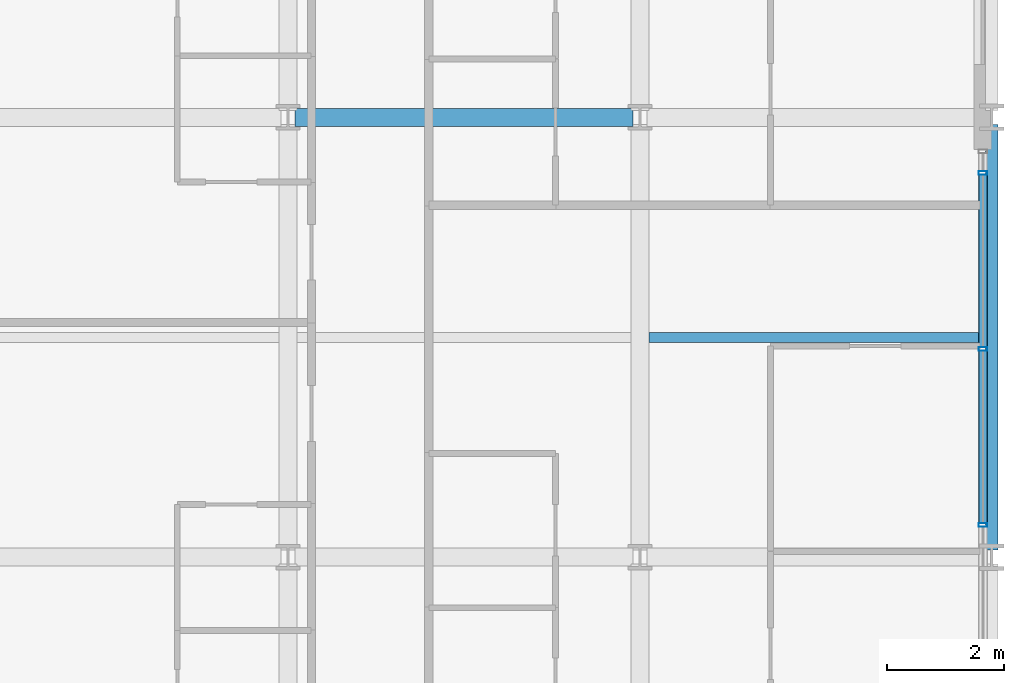
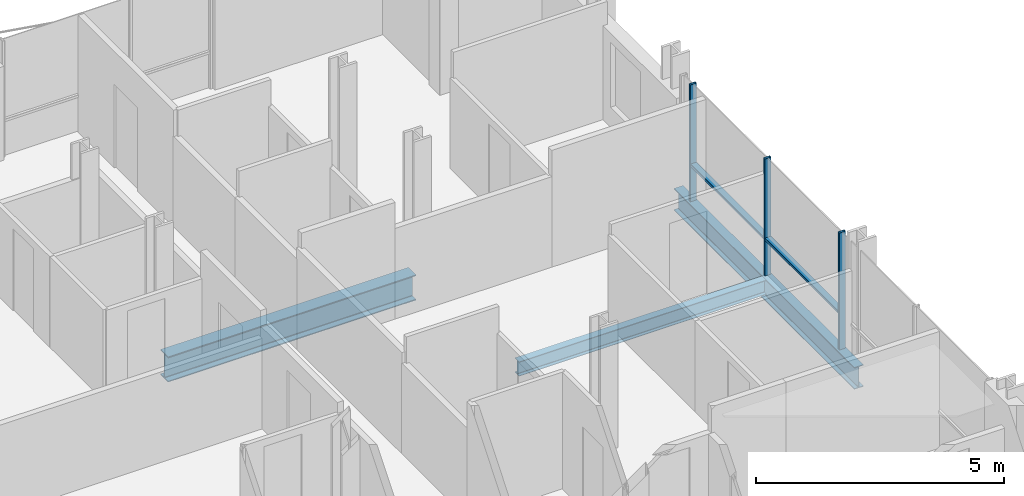
# One storey, part 19 of 40: 5 members, 3 beams, 1 element without a shape of its own.
"""IFC4 building model written with IfcOpenShell, lengths in metres."""

from ifc_helpers import new_model, si_unit, direction, frame, origin, origin_2d, place, context, subcontext, project, spatial, hollow_rectangle, i_section, extrude, material, layer, layer_set, material_profile, profile_set, type_object, element, aggregate, save


model = new_model("IFC4")

# Units and contexts
model_context = context("Model", 3, precision=1e-05, world=origin(), true_north=direction((0.0, 1.0)))
body_context = subcontext(model_context, "Body", "Model", "MODEL_VIEW")
ifc_project = project(units=[si_unit("LENGTHUNIT", "METRE"), si_unit("AREAUNIT", "SQUARE_METRE"), si_unit("VOLUMEUNIT", "CUBIC_METRE"), si_unit("PLANEANGLEUNIT", "RADIAN"), si_unit("MASSUNIT", "GRAM", prefix="KILO")], contexts=[model_context])

# Site, building, storey
site_placement = place(None, origin())
site = spatial("IfcSite", under=ifc_project, at=site_placement, CompositionType="ELEMENT")
building_placement = place(site_placement, origin())
building = spatial("IfcBuilding", under=site, at=building_placement, Name="Brevholm Reach", CompositionType="ELEMENT")
storey_placement = place(building_placement, frame((0.0, 0.0, 62.10009765625)))
storey = spatial("IfcBuildingStorey", under=building, at=storey_placement, Name="L17", CompositionType="ELEMENT", Elevation=62.10009765625)

# Beams
ifc_material_1 = material(Name="Structural Steel S355J2", Category="steel")
ifc_material_profile_1 = material_profile(ifc_material_1, i_section(OverallWidth=0.17138671875, OverallDepth=0.35498046875, WebThickness=0.00732421875, FlangeThickness=0.011474609375, FilletRadius=0.01025390625, at=origin_2d()), Name="UKB 356x171x51")
ifc_profile_set_1 = profile_set([ifc_material_profile_1], Name="Structural Steel S355J2")
beam_type_1 = type_object("IfcBeamType", Name="BM-B356", PredefinedType="BEAM", material=ifc_profile_set_1)
beam_1_placement = place(storey_placement, frame((54.153564453125, 19.75, -0.40771484375), z_axis=(1.0, 0.0, 0.0), x_axis=(0.0, 1.0, 0.0)))
element("IfcBeam", 1, at=beam_1_placement, inside=storey, type_object=beam_type_1, Name="L17 Composite Secondary Floor Beam", PredefinedType="BEAM", context=body_context, shape_type="SweptSolid", body=[
    extrude(i_section(OverallWidth=0.17138671875, OverallDepth=0.35498046875, WebThickness=0.00732421875, FlangeThickness=0.011474609375, FilletRadius=0.01025390625, at=origin_2d()), origin(), (0.0, 0.0, 1.0), 5.740966796875),
])
ifc_material_2 = material(Name="Structural Steel S355J2", Category="steel")
ifc_material_profile_2 = material_profile(ifc_material_2, i_section(OverallWidth=0.210693359375, OverallDepth=0.53955078125, WebThickness=0.01171875, FlangeThickness=0.018798828125, FilletRadius=0.0126953125, at=origin_2d()), Name="UKB 533x210x109")
ifc_profile_set_2 = profile_set([ifc_material_profile_2], Name="Structural Steel S355J2")
beam_type_2 = type_object("IfcBeamType", Name="BM-SP539", PredefinedType="SPANDREL", material=ifc_profile_set_2)
beam_2_placement = place(storey_placement, frame((60.0, 16.1201171875, -0.499755859375), z_axis=(0.0, 1.0, 0.0), x_axis=(-1.0, 0.0, 0.0)))
element("IfcBeam", 2, at=beam_2_placement, inside=storey, type_object=beam_type_2, Name="L17 SP-01B Framing Beam", PredefinedType="SPANDREL", context=body_context, shape_type="SweptSolid", body=[
    extrude(i_section(OverallWidth=0.210693359375, OverallDepth=0.53955078125, WebThickness=0.01171875, FlangeThickness=0.018798828125, FilletRadius=0.0126953125, at=origin_2d()), origin(), (0.0, 0.0, 1.0), 7.259765625),
])
ifc_material_3 = material(Name="Structural Steel S355J2", Category="steel")
ifc_material_profile_3 = material_profile(ifc_material_3, i_section(OverallWidth=0.30712890625, OverallDepth=0.6201171875, WebThickness=0.01416015625, FlangeThickness=0.023681640625, FilletRadius=0.0166015625, at=origin_2d()), Name="UKB 610x305x179")
ifc_profile_set_3 = profile_set([ifc_material_profile_3], Name="Structural Steel S355J2")
beam_type_3 = type_object("IfcBeamType", Name="BM-UKB610H", PredefinedType="USERDEFINED", material=ifc_profile_set_3)
beam_3_placement = place(storey_placement, frame((48.1201171875, 23.5, -0.540283203125), z_axis=(1.0, 0.0, 0.0), x_axis=(0.0, 1.0, 0.0)))
element("IfcBeam", 3, at=beam_3_placement, inside=storey, type_object=beam_type_3, Name="L17 G-06 Framing Beam", ObjectType="GIRDER", PredefinedType="USERDEFINED", context=body_context, shape_type="SweptSolid", body=[
    extrude(i_section(OverallWidth=0.30712890625, OverallDepth=0.6201171875, WebThickness=0.01416015625, FlangeThickness=0.023681640625, FilletRadius=0.0166015625, at=origin_2d()), origin(), (0.0, 0.0, 1.0), 5.759765625),
])

# Curtain wall, members
ifc_material_4 = material(Name="Dark Anodised Aluminium 6063-T6 and Solar-Control Glass", Category="aluminium")
ifc_layer = layer(ifc_material_4, 0.14990234375)
ifc_layer_set = layer_set([ifc_layer], Name="Dark Anodised Aluminium 6063-T6 and Solar-Control Glass")
curtain_wall_type = type_object("IfcCurtainWallType", Name="CW-01", PredefinedType="NOTDEFINED", material=ifc_layer_set)
curtain_wall_placement = place(storey_placement, origin())
curtain_wall = element("IfcCurtainWall", 4, at=curtain_wall_placement, inside=storey, type_object=curtain_wall_type, Name="L17 Curtain Wall CW-01", PredefinedType="NOTDEFINED")
ifc_material_5 = material(Name="Dark Anodised Aluminium 6063-T6", Category="aluminium")
ifc_material_profile_4 = material_profile(ifc_material_5, hollow_rectangle(XDim=0.06494140625, YDim=0.14990234375, WallThickness=0.0048828125, InnerFilletRadius=0.0048828125, OuterFilletRadius=0.010009765625, at=origin_2d()), Name="RHS 150x65x5")
ifc_profile_set_4 = profile_set([ifc_material_profile_4], Name="Dark Anodised Aluminium 6063-T6")
member_type_1 = type_object("IfcMemberType", Name="CWM-150", PredefinedType="MULLION", material=ifc_profile_set_4)
member_1_placement = place(storey_placement, frame((59.85009765625, 16.550048828125, 0.0), z_axis=(0.0, 0.0, 1.0), x_axis=(0.0, 1.0, 0.0)))
member_1 = element("IfcMember", 5, at=member_1_placement, type_object=member_type_1, Name="CM-150 Mullion 3", PredefinedType="MULLION", context=body_context, shape_type="SweptSolid", body=[
    extrude(hollow_rectangle(XDim=0.06494140625, YDim=0.14990234375, WallThickness=0.0048828125, InnerFilletRadius=0.0048828125, OuterFilletRadius=0.010009765625, at=origin_2d()), origin(), (0.0, 0.0, 1.0), 2.869873046875),
])
member_2_placement = place(storey_placement, frame((59.85009765625, 19.550048828125, 0.0), z_axis=(0.0, 0.0, 1.0), x_axis=(0.0, 1.0, 0.0)))
member_2 = element("IfcMember", 6, at=member_2_placement, type_object=member_type_1, Name="CM-150 Mullion 4", PredefinedType="MULLION", context=body_context, shape_type="SweptSolid", body=[
    extrude(hollow_rectangle(XDim=0.06494140625, YDim=0.14990234375, WallThickness=0.0048828125, InnerFilletRadius=0.0048828125, OuterFilletRadius=0.010009765625, at=origin_2d()), origin(), (0.0, 0.0, 1.0), 2.869873046875),
])
member_3_placement = place(storey_placement, frame((59.85009765625, 22.550048828125, 0.0), z_axis=(0.0, 0.0, 1.0), x_axis=(0.0, 1.0, 0.0)))
member_3 = element("IfcMember", 7, at=member_3_placement, type_object=member_type_1, Name="CM-150 Mullion 5", PredefinedType="MULLION", context=body_context, shape_type="SweptSolid", body=[
    extrude(hollow_rectangle(XDim=0.06494140625, YDim=0.14990234375, WallThickness=0.0048828125, InnerFilletRadius=0.0048828125, OuterFilletRadius=0.010009765625, at=origin_2d()), origin(), (0.0, 0.0, 1.0), 2.869873046875),
])
ifc_material_6 = material(Name="Dark Anodised Aluminium 6063-T6", Category="aluminium")
ifc_material_profile_5 = material_profile(ifc_material_6, hollow_rectangle(XDim=0.06494140625, YDim=0.14990234375, WallThickness=0.0048828125, InnerFilletRadius=0.0048828125, OuterFilletRadius=0.010009765625, at=origin_2d()), Name="RHS 150x65x5")
ifc_profile_set_5 = profile_set([ifc_material_profile_5], Name="Dark Anodised Aluminium 6063-T6")
member_type_2 = type_object("IfcMemberType", Name="CWT-150", PredefinedType="NOTDEFINED", material=ifc_profile_set_5)
member_4_placement = place(storey_placement, frame((59.85009765625, 16.58251953125, 0.89990234375), z_axis=(0.0, 1.0, 0.0), x_axis=(0.0, 0.0, 1.0)))
member_4 = element("IfcMember", 8, at=member_4_placement, type_object=member_type_2, Name="CT-150 Transom 3.1", ObjectType="TRANSOM", PredefinedType="USERDEFINED", context=body_context, shape_type="SweptSolid", body=[
    extrude(hollow_rectangle(XDim=0.06494140625, YDim=0.14990234375, WallThickness=0.0048828125, InnerFilletRadius=0.0048828125, OuterFilletRadius=0.010009765625, at=origin_2d()), origin(), (0.0, 0.0, 1.0), 2.93505859375),
])
member_5_placement = place(storey_placement, frame((59.85009765625, 19.58251953125, 0.89990234375), z_axis=(0.0, 1.0, 0.0), x_axis=(0.0, 0.0, 1.0)))
member_5 = element("IfcMember", 9, at=member_5_placement, type_object=member_type_2, Name="CT-150 Transom 4.1", ObjectType="TRANSOM", PredefinedType="USERDEFINED", context=body_context, shape_type="SweptSolid", body=[
    extrude(hollow_rectangle(XDim=0.06494140625, YDim=0.14990234375, WallThickness=0.0048828125, InnerFilletRadius=0.0048828125, OuterFilletRadius=0.010009765625, at=origin_2d()), origin(), (0.0, 0.0, 1.0), 2.93505859375),
])
aggregate(curtain_wall, [member_1, member_2, member_3, member_4, member_5])

save(model, "model.ifc")
